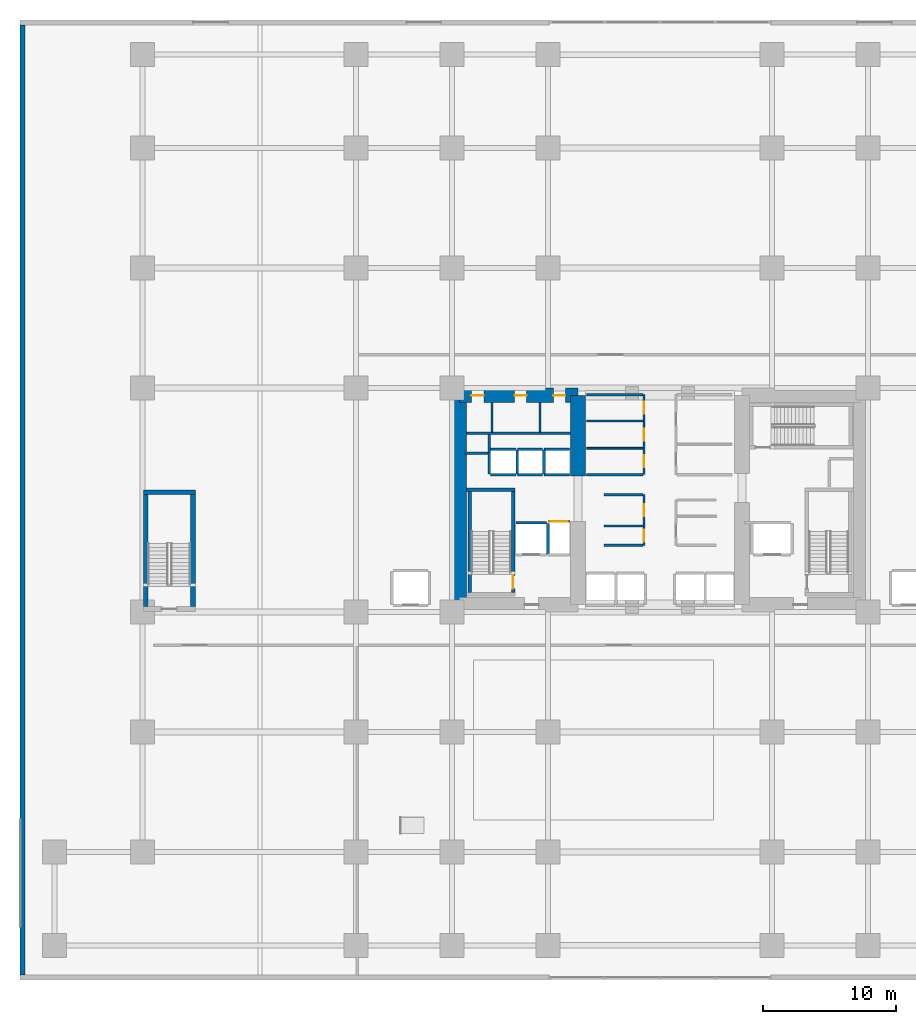
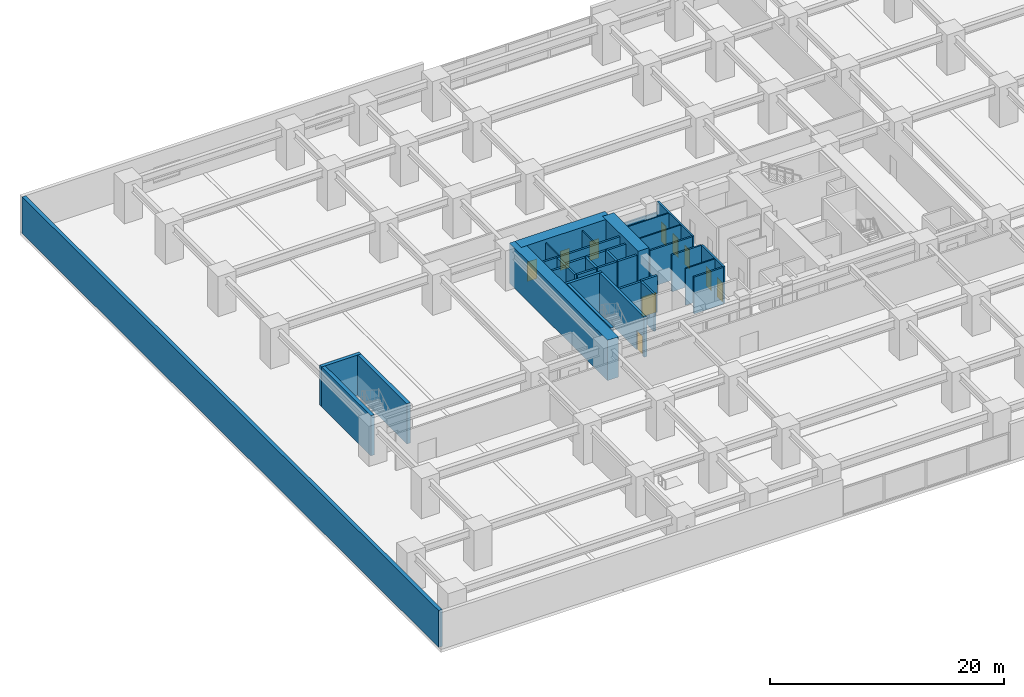
# One storey, part 11 of 22: 36 walls, 10 doors, 10 openings.
"""IFC4 building model written with IfcOpenShell, lengths in metres."""

import ifcopenshell
import ifcopenshell.guid

model = None  # the IFC model being written
_history = None  # IfcOwnerHistory: only IFC2X3 demands one
_inside = {}  # id of a spatial element -> (the spatial element, [elements in it])
_under = {}  # id of a project, library or spatial element -> (it, [spatial elements below it])
_declared = {}  # id of a project -> (the project, [libraries it declares])
_typed = {}  # id of a type object -> (the type object, [elements of that type])
_made_of = {}  # id of a material, layer set ... -> (it, [elements and type objects made of it])


def new_model(schema):
    """Start an empty IFC model of exactly this schema.

    Asked for "IFC4X3", IfcOpenShell would pick the latest addendum, in which some entities
    have other attributes; the version numbers below select the first issue.
    IFC2X3 requires an IfcOwnerHistory on every rooted entity: one is made here for all.
    """
    global model, _history
    if schema == "IFC4X3":
        model = ifcopenshell.file(schema_version=(4, 3, 0, 0))
    else:
        model = ifcopenshell.file(schema=schema)
    _inside.clear()
    _under.clear()
    _declared.clear()
    _typed.clear()
    _made_of.clear()
    _history = None
    if model.schema == "IFC2X3":
        org = make("IfcOrganization", Name="unknown")
        user = make(
            "IfcPersonAndOrganization",
            ThePerson=make("IfcPerson", FamilyName="unknown"),
            TheOrganization=org,
        )
        app = make(
            "IfcApplication",
            ApplicationDeveloper=org,
            Version="unknown",
            ApplicationFullName="unknown",
            ApplicationIdentifier="unknown",
        )
        _history = make(
            "IfcOwnerHistory",
            OwningUser=user,
            OwningApplication=app,
            ChangeAction="ADDED",
            CreationDate=0,
        )
    return model


def make(cls, **values):
    """One entity of the class cls with the attributes given. An attribute that is None is left unset."""
    return model.create_entity(
        cls, **{name: value for name, value in values.items() if value is not None}
    )


def rooted(cls, **values):
    """An entity with a GlobalId (a new one), such as an element, a storey or a relation."""
    return make(cls, GlobalId=ifcopenshell.guid.new(), OwnerHistory=_history, **values)


def si_unit(unit_type, name, prefix=None):
    """IfcSIUnit, for example si_unit("LENGTHUNIT", "METRE", prefix="MILLI")."""
    return make("IfcSIUnit", UnitType=unit_type, Prefix=prefix, Name=name)


def assignment(units):
    """IfcUnitAssignment: the units of a project."""
    return None if units is None else make("IfcUnitAssignment", Units=units)


def point(xyz):
    """IfcCartesianPoint."""
    return None if xyz is None else make("IfcCartesianPoint", Coordinates=xyz)


def direction(xyz):
    """IfcDirection."""
    return None if xyz is None else make("IfcDirection", DirectionRatios=xyz)


def frame(location, z_axis=None, x_axis=None):
    """IfcAxis2Placement3D, a coordinate frame: its origin and axes. An axis left out is left unset."""
    return make(
        "IfcAxis2Placement3D",
        Location=point(location),
        Axis=direction(z_axis),
        RefDirection=direction(x_axis),
    )


def frame_2d(location, x_axis=None):
    """IfcAxis2Placement2D, a coordinate frame in the plane: its origin and x axis."""
    return make(
        "IfcAxis2Placement2D", Location=point(location), RefDirection=direction(x_axis)
    )


def origin():
    """The frame at (0, 0, 0) with its axes left unset."""
    return frame((0.0, 0.0, 0.0))


def place(relative_to, where):
    """IfcLocalPlacement: puts the frame where relative to a parent placement (None: the world)."""
    return make(
        "IfcLocalPlacement", PlacementRelTo=relative_to, RelativePlacement=where
    )


def context(
    kind, dimensions, precision=None, world=None, true_north=None, identifier=None
):
    """IfcGeometricRepresentationContext, for example the 3D "Model" context."""
    return make(
        "IfcGeometricRepresentationContext",
        ContextIdentifier=identifier,
        ContextType=kind,
        CoordinateSpaceDimension=dimensions,
        Precision=precision,
        WorldCoordinateSystem=world,
        TrueNorth=true_north,
    )


def subcontext(parent, identifier, kind, view, scale=None):
    """IfcGeometricRepresentationSubContext, for example "Body" below "Model"."""
    return make(
        "IfcGeometricRepresentationSubContext",
        ContextIdentifier=identifier,
        ContextType=kind,
        ParentContext=parent,
        TargetScale=scale,
        TargetView=view,
    )


def project(units=None, contexts=None):
    """IfcProject with its units and contexts."""
    return rooted(
        "IfcProject",
        Name="project",
        RepresentationContexts=contexts,
        UnitsInContext=assignment(units),
    )


def spatial(cls, under=None, at=None, **own):
    """A site, building, storey or space (cls), placed at a placement, below another one or the project."""
    s = rooted(cls, ObjectPlacement=at, **own)
    if under is not None:
        _under.setdefault(under.id(), (under, []))[1].append(s)
    return s


def profile(cls, at=None, kind="AREA", **sizes):
    """A parametric profile (cls). Its sizes go by their IFC names, for example OverallWidth=200.0."""
    return make(cls, ProfileType=kind, Position=at, **sizes)


def rectangle(**sizes):
    """IfcRectangleProfileDef."""
    return profile("IfcRectangleProfileDef", **sizes)


def extrude(swept, where, along, depth):
    """IfcExtrudedAreaSolid: the profile swept, set in the frame where, extruded along a direction by depth."""
    return make(
        "IfcExtrudedAreaSolid",
        SweptArea=swept,
        Position=where,
        ExtrudedDirection=direction(along),
        Depth=depth,
    )


def shape(context_of_items, identifier, shape_type, items):
    """IfcShapeRepresentation: the items that make up one representation, for example the "Body"."""
    return make(
        "IfcShapeRepresentation",
        ContextOfItems=context_of_items,
        RepresentationIdentifier=identifier,
        RepresentationType=shape_type,
        Items=items,
    )


def material(Name=None, Category=None):
    """IfcMaterial."""
    return make("IfcMaterial", Name=Name, Category=Category)


def layer(
    of_material, thickness, ventilated=None, Name=None, Category=None, Priority=None
):
    """IfcMaterialLayer: one layer of a wall or slab, of a material (None: an air gap)."""
    return make(
        "IfcMaterialLayer",
        Material=of_material,
        LayerThickness=thickness,
        IsVentilated=ventilated,
        Name=Name,
        Category=Category,
        Priority=Priority,
    )


def layer_set(layers, Name=None):
    """IfcMaterialLayerSet."""
    return make("IfcMaterialLayerSet", MaterialLayers=layers, LayerSetName=Name)


def made_of(thing, what):
    """Note that an element or type object is made of a material, layer set ...; save() writes the relation."""
    if what is not None:
        _made_of.setdefault(what.id(), (what, []))[1].append(thing)
    return thing


def type_object(cls, material=None, **own):
    """A type object (cls), such as IfcWallType, which elements share."""
    return made_of(rooted(cls, **own), material)


def element(
    cls,
    number,
    at=None,
    inside=None,
    cuts=None,
    type_object=None,
    material=None,
    context=None,
    identifier="Body",
    shape_type=None,
    held_by="IfcProductDefinitionShape",
    body=None,
    shapes=None,
    **own,
):
    """One element of the class cls, such as IfcWall. Its Tag is "e" and its number.

    at: its placement. inside: the storey or other place that contains it. cuts: it is an
    opening in that element (IfcRelVoidsElement). A single representation is given by context,
    identifier, shape_type and body (its items); several are given by shapes. held_by: the class
    of the entity that holds the representations. save() writes the other relations.
    """
    e = rooted(cls, Tag="e%d" % number, ObjectPlacement=at, **own)
    if body is not None:
        shapes = [shape(context, identifier, shape_type, body)]
    if shapes is not None:
        e.Representation = make(held_by, Representations=shapes)
    if inside is not None:
        _inside.setdefault(inside.id(), (inside, []))[1].append(e)
    if cuts is not None:
        rooted(
            "IfcRelVoidsElement", RelatingBuildingElement=cuts, RelatedOpeningElement=e
        )
    if type_object is not None:
        _typed.setdefault(type_object.id(), (type_object, []))[1].append(e)
    return made_of(e, material)


def fill(opening, filler):
    """IfcRelFillsElement: the door or window that sits in an opening."""
    return rooted(
        "IfcRelFillsElement",
        RelatingOpeningElement=opening,
        RelatedBuildingElement=filler,
    )


def aggregate(whole, parts):
    """IfcRelAggregates: a whole, such as a stair, and the parts it consists of."""
    return rooted("IfcRelAggregates", RelatingObject=whole, RelatedObjects=parts)


def save(model, path):
    """Write the relations noted so far, then the file.

    IfcRelAggregates (storeys below a building ...), IfcRelContainedInSpatialStructure (elements
    in a storey), IfcRelDefinesByType, IfcRelAssociatesMaterial and IfcRelDeclares: one each for
    every whole, place, type object, material and project.
    """
    for whole, parts in _under.values():
        aggregate(whole, parts)
    for where, things in _inside.values():
        rooted(
            "IfcRelContainedInSpatialStructure",
            RelatedElements=things,
            RelatingStructure=where,
        )
    for kind, things in _typed.values():
        rooted("IfcRelDefinesByType", RelatedObjects=things, RelatingType=kind)
    for what, things in _made_of.values():
        rooted("IfcRelAssociatesMaterial", RelatedObjects=things, RelatingMaterial=what)
    for by, libraries in _declared.values():
        rooted("IfcRelDeclares", RelatingContext=by, RelatedDefinitions=libraries)
    model.write(path)


model = new_model("IFC4")

# Units and contexts
model_context = context("Model", 3, precision=1e-05, world=origin(), true_north=direction((0.0, 1.0)))
body_context = subcontext(model_context, "Body", "Model", "MODEL_VIEW")
ifc_project = project(units=[si_unit("LENGTHUNIT", "METRE"), si_unit("AREAUNIT", "SQUARE_METRE"), si_unit("VOLUMEUNIT", "CUBIC_METRE"), si_unit("PLANEANGLEUNIT", "RADIAN"), si_unit("MASSUNIT", "GRAM", prefix="KILO")], contexts=[model_context])

# Site, building, storey
site_placement = place(None, origin())
site = spatial("IfcSite", under=ifc_project, at=site_placement, CompositionType="ELEMENT")
building_placement = place(site_placement, origin())
building = spatial("IfcBuilding", under=site, at=building_placement, Name="Kiyonajd Concourse Tower", CompositionType="ELEMENT")
storey_placement = place(building_placement, frame((0.0, 0.0, 12.89990234375)))
storey = spatial("IfcBuildingStorey", under=building, at=storey_placement, Name="L04", CompositionType="ELEMENT", Elevation=12.89990234375)

# Walls
ifc_material_1 = material(Name="Concrete C80/95", Category="concrete")
ifc_layer_1 = layer(ifc_material_1, 1.10009765625)
ifc_layer_set_1 = layer_set([ifc_layer_1], Name="Concrete C80/95")
wall_type_1 = type_object("IfcWallType", Name="WL-CORE-1100", PredefinedType="SHEAR", material=ifc_layer_set_1)
wall_1_placement = place(storey_placement, frame((32.949951171875, 27.60009765625, 0.0), z_axis=(0.0, 0.0, 1.0), x_axis=(0.0, 1.0, 0.0)))
element("IfcWall", 1, at=wall_1_placement, inside=storey, type_object=wall_type_1, Name="L04 West Core Outer Shear Wall", PredefinedType="SHEAR", context=body_context, shape_type="SweptSolid", body=[
    extrude(rectangle(XDim=16.7998046875, YDim=1.10009765625, at=frame_2d((8.39990234375, 0.0))), origin(), (0.0, 0.0, 1.0), 4.2001953125),
])
wall_2_placement = place(storey_placement, frame((41.85009765625, 37.800048828125, 0.0), z_axis=(0.0, 0.0, 1.0), x_axis=(0.0, 1.0, 0.0)))
element("IfcWall", 2, at=wall_2_placement, inside=storey, type_object=wall_type_1, Name="L04 West Core Inner North Shear Wall", PredefinedType="SHEAR", context=body_context, shape_type="SweptSolid", body=[
    extrude(rectangle(XDim=6.050048828125, YDim=1.10009765625, at=frame_2d((3.02490234375, 0.0))), origin(), (0.0, 0.0, 1.0), 4.2001953125),
])

# Wall, openings, doors
wall_3_placement = place(storey_placement, frame((32.949951171875, 43.85009765625, 0.0), z_axis=(0.0, 0.0, 1.0), x_axis=(1.0, 0.0, 0.0)))
wall_3 = element("IfcWall", 3, at=wall_3_placement, inside=storey, type_object=wall_type_1, Name="L04 West Core North Shear Wall", PredefinedType="SHEAR", context=body_context, shape_type="SweptSolid", body=[
    extrude(rectangle(XDim=8.900146484375, YDim=1.10009765625, at=frame_2d((4.4501953125, 0.0))), origin(), (0.0, 0.0, 1.0), 4.2001953125),
])
opening_1_placement = place(wall_3_placement, frame((0.89990234375, 0.0, 0.0)))
opening_1 = element("IfcOpeningElement", 4, at=opening_1_placement, cuts=wall_3, Name="Opening DI1", PredefinedType="OPENING", context=body_context, shape_type="SweptSolid", body=[
    extrude(rectangle(XDim=0.949951171875, YDim=2.0400390625, at=frame_2d((0.47509765625, 1.02001953125))), frame((0.0, 0.56005859375, 0.0), z_axis=(0.0, -1.0, 0.0), x_axis=(1.0, 0.0, 0.0)), (0.0, 0.0, 1.0), 1.1201171875),
])
opening_2_placement = place(wall_3_placement, frame((4.14990234375, 0.0, 0.0)))
opening_2 = element("IfcOpeningElement", 5, at=opening_2_placement, cuts=wall_3, Name="Opening DI2", PredefinedType="OPENING", context=body_context, shape_type="SweptSolid", body=[
    extrude(rectangle(XDim=0.89990234375, YDim=2.02001953125, at=frame_2d((0.449951171875, 1.010009765625))), frame((0.0, 0.56005859375, 0.0), z_axis=(0.0, -1.0, 0.0), x_axis=(1.0, 0.0, 0.0)), (0.0, 0.0, 1.0), 1.1201171875),
])
opening_3_placement = place(wall_3_placement, frame((7.050048828125, 0.0, 0.0)))
opening_3 = element("IfcOpeningElement", 6, at=opening_3_placement, cuts=wall_3, Name="Opening DI2", PredefinedType="OPENING", context=body_context, shape_type="SweptSolid", body=[
    extrude(rectangle(XDim=0.89990234375, YDim=2.02001953125, at=frame_2d((0.449951171875, 1.010009765625))), frame((0.0, 0.56005859375, 0.0), z_axis=(0.0, -1.0, 0.0), x_axis=(1.0, 0.0, 0.0)), (0.0, 0.0, 1.0), 1.1201171875),
])
ifc_material_2 = material(Name="Natural Oak Acoustic Timber Veneer", Category="wood")
door_type_1 = type_object("IfcDoorType", Name="DR-INT-900", OperationType="NOTDEFINED", PredefinedType="DOOR", material=ifc_material_2)
door_1_placement = place(opening_2_placement, origin())
door_1 = element("IfcDoor", 7, at=door_1_placement, inside=storey, type_object=door_type_1, Name="L04 Male Restroom Door", OperationType="SINGLE_SWING_RIGHT", OverallHeight=2.02001953125, OverallWidth=0.89990234375, PredefinedType="DOOR", context=body_context, shape_type="SweptSolid", body=[
    extrude(rectangle(XDim=0.89990234375, YDim=2.02001953125, at=frame_2d((0.449951171875, 1.010009765625))), frame((0.0, 0.02490234375, 0.0), z_axis=(0.0, -1.0, 0.0), x_axis=(1.0, 0.0, 0.0)), (0.0, 0.0, 1.0), 0.050048828125),
])
fill(opening_2, door_1)
door_2_placement = place(opening_3_placement, origin())
door_2 = element("IfcDoor", 8, at=door_2_placement, inside=storey, type_object=door_type_1, Name="L04 Female Restroom Door", OperationType="SINGLE_SWING_LEFT", OverallHeight=2.02001953125, OverallWidth=0.89990234375, PredefinedType="DOOR", context=body_context, shape_type="SweptSolid", body=[
    extrude(rectangle(XDim=0.89990234375, YDim=2.02001953125, at=frame_2d((0.449951171875, 1.010009765625))), frame((0.0, 0.02490234375, 0.0), z_axis=(0.0, -1.0, 0.0), x_axis=(1.0, 0.0, 0.0)), (0.0, 0.0, 1.0), 0.050048828125),
])
fill(opening_3, door_2)
door_type_2 = type_object("IfcDoorType", Name="DR-INT-950", OperationType="NOTDEFINED", PredefinedType="DOOR", material=ifc_material_2)
door_3_placement = place(opening_1_placement, origin())
door_3 = element("IfcDoor", 9, at=door_3_placement, inside=storey, type_object=door_type_2, Name="L04 Single User Accessible WC Door", OperationType="SINGLE_SWING_LEFT", OverallHeight=2.0400390625, OverallWidth=0.949951171875, PredefinedType="DOOR", context=body_context, shape_type="SweptSolid", body=[
    extrude(rectangle(XDim=0.949951171875, YDim=2.0400390625, at=frame_2d((0.47509765625, 1.02001953125))), frame((0.0, 0.02490234375, 0.0), z_axis=(0.0, -1.0, 0.0), x_axis=(1.0, 0.0, 0.0)), (0.0, 0.0, 1.0), 0.050048828125),
])
fill(opening_1, door_3)

# Walls
ifc_material_3 = material(Name="Precast concrete C50/60", Category="concrete")
ifc_layer_2 = layer(ifc_material_3, 0.360107421875)
ifc_layer_set_2 = layer_set([ifc_layer_2], Name="Precast concrete C50/60")
wall_type_2 = type_object("IfcWallType", Name="WL-EXT-360", PredefinedType="SOLIDWALL", material=ifc_layer_set_2)
wall_4_placement = place(storey_placement, frame((0.179931640625, 0.360107421875, 0.0), z_axis=(0.0, 0.0, 1.0), x_axis=(0.0, 1.0, 0.0)))
element("IfcWall", 10, at=wall_4_placement, inside=storey, type_object=wall_type_2, Name="L04 West Podium Limestone Facade Wall", PredefinedType="SOLIDWALL", context=body_context, shape_type="SweptSolid", body=[
    extrude(rectangle(XDim=71.27978515625, YDim=0.360107421875, at=frame_2d((35.639892578125, 0.0))), origin(), (0.0, 0.0, 1.0), 3.840087890625),
])
ifc_material_4 = material(Name="Gypsum Board on Cold-Formed Steel Stud", Category="steel")
ifc_layer_3 = layer(ifc_material_4, 0.125)
ifc_layer_set_3 = layer_set([ifc_layer_3], Name="Gypsum Board on Cold-Formed Steel Stud")
wall_type_3 = type_object("IfcWallType", Name="WL-PART-125", PredefinedType="PARTITIONING", material=ifc_layer_set_3)
for number, where, z_axis, x_axis, name in (
    (11, (35.39990234375, 41.094970703125, 0.0), (0.0, 0.0, 1.0), (0.0, 1.0, 0.0), "L04 Interior Partition Wall"),
    (12, (39.0, 41.094970703125, 0.0), (0.0, 0.0, 1.0), (0.0, 1.0, 0.0), "L04 Interior Partition Wall"),
):
    element("IfcWall", number, at=place(storey_placement, frame(where, z_axis=z_axis, x_axis=x_axis)), inside=storey, type_object=wall_type_3, Name=name, PredefinedType="PARTITIONING", context=body_context, shape_type="SweptSolid", body=[
        extrude(rectangle(XDim=2.205078125, YDim=0.125, at=frame_2d((1.1025390625, 0.0))), origin(), (0.0, 0.0, 1.0), 3.840087890625),
    ])
wall_5_placement = place(storey_placement, frame((43.800048828125, 34.0439453125, 0.0), z_axis=(0.0, 0.0, 1.0), x_axis=(1.0, 0.0, 0.0)))
element("IfcWall", 13, at=wall_5_placement, inside=storey, type_object=wall_type_3, Name="L04 Interior Partition Wall", PredefinedType="PARTITIONING", context=body_context, shape_type="SweptSolid", body=[
    extrude(rectangle(XDim=2.912841796875, YDim=0.125, at=frame_2d((1.45654296875, 0.0))), origin(), (0.0, 0.0, 1.0), 3.840087890625),
])
for number, where, z_axis, x_axis, name in (
    (14, (42.5, 39.8798828125, 0.0), (0.0, 0.0, 1.0), (1.0, 0.0, 0.0), "L04 Interior Partition Wall"),
    (15, (42.5, 41.919921875, 0.0), (0.0, 0.0, 1.0), (1.0, 0.0, 0.0), "L04 Interior Partition Wall"),
):
    element("IfcWall", number, at=place(storey_placement, frame(where, z_axis=z_axis, x_axis=x_axis)), inside=storey, type_object=wall_type_3, Name=name, PredefinedType="PARTITIONING", context=body_context, shape_type="SweptSolid", body=[
        extrude(rectangle(XDim=4.212890625, YDim=0.125, at=frame_2d((2.1064453125, 0.0))), origin(), (0.0, 0.0, 1.0), 3.840087890625),
    ])
ifc_layer_4 = layer(ifc_material_4, 0.18994140625)
ifc_layer_set_4 = layer_set([ifc_layer_4], Name="Gypsum Board on Cold-Formed Steel Stud")
wall_type_4 = type_object("IfcWallType", Name="WL-PLMB-190", PredefinedType="PLUMBINGWALL", material=ifc_layer_set_4)
wall_6_placement = place(storey_placement, frame((33.5, 41.0, 0.0), z_axis=(0.0, 0.0, 1.0), x_axis=(1.0, 0.0, 0.0)))
element("IfcWall", 16, at=wall_6_placement, inside=storey, type_object=wall_type_4, Name="L04 Interior Partition Wall", PredefinedType="PLUMBINGWALL", context=body_context, shape_type="SweptSolid", body=[
    extrude(rectangle(XDim=7.800048828125, YDim=0.18994140625, at=frame_2d((3.89990234375, 0.0))), origin(), (0.0, 0.0, 1.0), 3.840087890625),
])
ifc_layer_5 = layer(ifc_material_4, 0.2099609375)
ifc_layer_set_5 = layer_set([ifc_layer_5], Name="Gypsum Board on Cold-Formed Steel Stud")
wall_type_5 = type_object("IfcWallType", Name="WL-SHAFT-210", PredefinedType="PARTITIONING", material=ifc_layer_set_5)
wall_7_placement = place(storey_placement, frame((33.360107421875, 39.5, 0.0), z_axis=(0.0, 0.0, 1.0), x_axis=(1.0, 0.0, 0.0)))
element("IfcWall", 17, at=wall_7_placement, inside=storey, type_object=wall_type_5, Name="L04 Shaft Enclosure Wall", PredefinedType="PARTITIONING", context=body_context, shape_type="SweptSolid", body=[
    extrude(rectangle(XDim=1.85986328125, YDim=0.2099609375, at=frame_2d((0.929931640625, 0.0))), origin(), (0.0, 0.0, 1.0), 3.840087890625),
])
wall_8_placement = place(storey_placement, frame((35.199951171875, 39.580078125, 0.0), z_axis=(0.0, 0.0, 1.0), x_axis=(0.0, 1.0, 0.0)))
element("IfcWall", 18, at=wall_8_placement, inside=storey, type_object=wall_type_5, Name="L04 Shaft Enclosure Wall", PredefinedType="PARTITIONING", context=body_context, shape_type="SweptSolid", body=[
    extrude(rectangle(XDim=1.31982421875, YDim=0.2099609375, at=frame_2d((0.659912109375, 0.0))), origin(), (0.0, 0.0, 1.0), 3.840087890625),
])
wall_9_placement = place(storey_placement, frame((37.199951171875, 34.300048828125, 0.0), z_axis=(0.0, 0.0, 1.0), x_axis=(1.0, 0.0, 0.0)))
element("IfcWall", 19, at=wall_9_placement, inside=storey, type_object=wall_type_5, Name="L04 Shaft Enclosure Wall", PredefinedType="PARTITIONING", context=body_context, shape_type="SweptSolid", body=[
    extrude(rectangle(XDim=2.300048828125, YDim=0.2099609375, at=frame_2d((1.14990234375, 0.0))), origin(), (0.0, 0.0, 1.0), 3.840087890625),
])
wall_10_placement = place(storey_placement, frame((39.60009765625, 31.9599609375, 0.0), z_axis=(0.0, 0.0, 1.0), x_axis=(0.0, 1.0, 0.0)))
element("IfcWall", 20, at=wall_10_placement, inside=storey, type_object=wall_type_5, Name="L04 Shaft Enclosure Wall", PredefinedType="PARTITIONING", context=body_context, shape_type="SweptSolid", body=[
    extrude(rectangle(XDim=2.280029296875, YDim=0.2099609375, at=frame_2d((1.14013671875, 0.0))), origin(), (0.0, 0.0, 1.0), 3.840087890625),
])

# Wall, opening, door
wall_11_placement = place(storey_placement, frame((39.60009765625, 34.39990234375, 0.0), z_axis=(0.0, 0.0, 1.0), x_axis=(1.0, 0.0, 0.0)))
wall_11 = element("IfcWall", 21, at=wall_11_placement, inside=storey, type_object=wall_type_5, Name="L04 Shaft Enclosure Wall", PredefinedType="PARTITIONING", context=body_context, shape_type="SweptSolid", body=[
    extrude(rectangle(XDim=1.599853515625, YDim=0.2099609375, at=frame_2d((0.7998046875, 0.0))), origin(), (0.0, 0.0, 1.0), 3.840087890625),
])
opening_4_placement = place(wall_11_placement, frame((0.10009765625, 0.0, 0.0)))
opening_4 = element("IfcOpeningElement", 22, at=opening_4_placement, cuts=wall_11, Name="Opening LD3", PredefinedType="OPENING", context=body_context, shape_type="SweptSolid", body=[
    extrude(rectangle(XDim=1.39990234375, YDim=2.06005859375, at=frame_2d((0.699951171875, 1.030029296875))), frame((0.0, 0.114990234375, 0.0), z_axis=(0.0, -1.0, 0.0), x_axis=(1.0, 0.0, 0.0)), (0.0, 0.0, 1.0), 0.22998046875),
])
ifc_material_5 = material(Name="Brushed Stainless Steel Cab Assembly", Category="steel")
door_type_3 = type_object("IfcDoorType", Name="DR-LD-1400", OperationType="DOUBLE_DOOR_SLIDING", PredefinedType="DOOR", material=ifc_material_5)
door_4_placement = place(opening_4_placement, origin())
door_4 = element("IfcDoor", 23, at=door_4_placement, inside=storey, type_object=door_type_3, Name="L04 Lift SVL1 Sliding Landing Door", OperationType="DOUBLE_DOOR_SLIDING", OverallHeight=2.06005859375, OverallWidth=1.39990234375, PredefinedType="DOOR", context=body_context, shape_type="SweptSolid", body=[
    extrude(rectangle(XDim=1.39990234375, YDim=2.06005859375, at=frame_2d((0.699951171875, 1.030029296875))), frame((0.0, 0.02490234375, 0.0), z_axis=(0.0, -1.0, 0.0), x_axis=(1.0, 0.0, 0.0)), (0.0, 0.0, 1.0), 0.050048828125),
])
fill(opening_4, door_4)

# Walls
for number, where, z_axis, x_axis, name in (
    (24, (35.300048828125, 37.89990234375, 0.0), (0.0, 0.0, 1.0), (1.0, 0.0, 0.0), "L04 Shaft Enclosure Wall"),
    (25, (35.300048828125, 39.800048828125, 0.0), (0.0, 0.0, 1.0), (1.0, 0.0, 0.0), "L04 Shaft Enclosure Wall"),
):
    element("IfcWall", number, at=place(storey_placement, frame(where, z_axis=z_axis, x_axis=x_axis)), inside=storey, type_object=wall_type_5, Name=name, PredefinedType="PARTITIONING", context=body_context, shape_type="SweptSolid", body=[
        extrude(rectangle(XDim=1.89990234375, YDim=0.2099609375, at=frame_2d((0.949951171875, 0.0))), origin(), (0.0, 0.0, 1.0), 3.840087890625),
    ])
wall_12_placement = place(storey_placement, frame((35.199951171875, 37.9599609375, 0.0), z_axis=(0.0, 0.0, 1.0), x_axis=(0.0, 1.0, 0.0)))
element("IfcWall", 26, at=wall_12_placement, inside=storey, type_object=wall_type_5, Name="L04 Shaft Enclosure Wall", PredefinedType="PARTITIONING", context=body_context, shape_type="SweptSolid", body=[
    extrude(rectangle(XDim=1.6201171875, YDim=0.2099609375, at=frame_2d((0.81005859375, 0.0))), origin(), (0.0, 0.0, 1.0), 3.840087890625),
])
wall_13_placement = place(storey_placement, frame((37.300048828125, 37.9599609375, 0.0), z_axis=(0.0, 0.0, 1.0), x_axis=(0.0, 1.0, 0.0)))
element("IfcWall", 27, at=wall_13_placement, inside=storey, type_object=wall_type_5, Name="L04 Shaft Enclosure Wall", PredefinedType="PARTITIONING", context=body_context, shape_type="SweptSolid", body=[
    extrude(rectangle(XDim=1.780029296875, YDim=0.2099609375, at=frame_2d((0.89013671875, 0.0))), origin(), (0.0, 0.0, 1.0), 3.840087890625),
])
for number, where, z_axis, x_axis, name in (
    (28, (37.300048828125, 37.89990234375, 0.0), (0.0, 0.0, 1.0), (1.0, 0.0, 0.0), "L04 Shaft Enclosure Wall"),
    (29, (37.300048828125, 39.800048828125, 0.0), (0.0, 0.0, 1.0), (1.0, 0.0, 0.0), "L04 Shaft Enclosure Wall"),
):
    element("IfcWall", number, at=place(storey_placement, frame(where, z_axis=z_axis, x_axis=x_axis)), inside=storey, type_object=wall_type_5, Name=name, PredefinedType="PARTITIONING", context=body_context, shape_type="SweptSolid", body=[
        extrude(rectangle(XDim=1.89990234375, YDim=0.2099609375, at=frame_2d((0.949951171875, 0.0))), origin(), (0.0, 0.0, 1.0), 3.840087890625),
    ])
wall_14_placement = place(storey_placement, frame((39.300048828125, 37.9599609375, 0.0), z_axis=(0.0, 0.0, 1.0), x_axis=(0.0, 1.0, 0.0)))
element("IfcWall", 30, at=wall_14_placement, inside=storey, type_object=wall_type_5, Name="L04 Shaft Enclosure Wall", PredefinedType="PARTITIONING", context=body_context, shape_type="SweptSolid", body=[
    extrude(rectangle(XDim=1.780029296875, YDim=0.2099609375, at=frame_2d((0.89013671875, 0.0))), origin(), (0.0, 0.0, 1.0), 3.840087890625),
])
for number, where, z_axis, x_axis, name in (
    (31, (39.300048828125, 37.89990234375, 0.0), (0.0, 0.0, 1.0), (1.0, 0.0, 0.0), "L04 Shaft Enclosure Wall"),
    (32, (39.300048828125, 39.800048828125, 0.0), (0.0, 0.0, 1.0), (1.0, 0.0, 0.0), "L04 Shaft Enclosure Wall"),
):
    element("IfcWall", number, at=place(storey_placement, frame(where, z_axis=z_axis, x_axis=x_axis)), inside=storey, type_object=wall_type_5, Name=name, PredefinedType="PARTITIONING", context=body_context, shape_type="SweptSolid", body=[
        extrude(rectangle(XDim=1.89990234375, YDim=0.2099609375, at=frame_2d((0.949951171875, 0.0))), origin(), (0.0, 0.0, 1.0), 3.840087890625),
    ])

# Wall, openings, doors
ifc_layer_6 = layer(ifc_material_4, 0.169921875)
ifc_layer_set_6 = layer_set([ifc_layer_6], Name="Gypsum Board on Cold-Formed Steel Stud")
wall_type_6 = type_object("IfcWallType", Name="WL-SMK-170", PredefinedType="PARTITIONING", material=ifc_layer_set_6)
wall_15_placement = place(storey_placement, frame((46.800048828125, 32.60009765625, 0.0), z_axis=(0.0, 0.0, 1.0), x_axis=(0.0, 1.0, 0.0)))
wall_15 = element("IfcWall", 33, at=wall_15_placement, inside=storey, type_object=wall_type_6, Name="L04 Interior Partition Wall", PredefinedType="PARTITIONING", context=body_context, shape_type="SweptSolid", body=[
    extrude(rectangle(XDim=3.7998046875, YDim=0.169921875, at=frame_2d((1.89990234375, 0.0))), origin(), (0.0, 0.0, 1.0), 3.840087890625),
])
opening_5_placement = place(wall_15_placement, frame((0.27197265625, 0.0, 0.0)))
opening_5 = element("IfcOpeningElement", 34, at=opening_5_placement, cuts=wall_15, Name="Opening DI2", PredefinedType="OPENING", context=body_context, shape_type="SweptSolid", body=[
    extrude(rectangle(XDim=0.89990234375, YDim=2.02001953125, at=frame_2d((0.449951171875, 1.010009765625))), frame((0.0, 0.094970703125, 0.0), z_axis=(0.0, -1.0, 0.0), x_axis=(1.0, 0.0, 0.0)), (0.0, 0.0, 1.0), 0.18994140625),
])
opening_6_placement = place(wall_15_placement, frame((2.172119140625, 0.0, 0.0)))
opening_6 = element("IfcOpeningElement", 35, at=opening_6_placement, cuts=wall_15, Name="Opening DI2", PredefinedType="OPENING", context=body_context, shape_type="SweptSolid", body=[
    extrude(rectangle(XDim=0.89990234375, YDim=2.02001953125, at=frame_2d((0.449951171875, 1.010009765625))), frame((0.0, 0.094970703125, 0.0), z_axis=(0.0, -1.0, 0.0), x_axis=(1.0, 0.0, 0.0)), (0.0, 0.0, 1.0), 0.18994140625),
])
door_5_placement = place(opening_5_placement, origin())
door_5 = element("IfcDoor", 36, at=door_5_placement, inside=storey, type_object=door_type_1, Name="L04 Interior Door", OperationType="SINGLE_SWING_LEFT", OverallHeight=2.02001953125, OverallWidth=0.89990234375, PredefinedType="DOOR", context=body_context, shape_type="SweptSolid", body=[
    extrude(rectangle(XDim=0.89990234375, YDim=2.02001953125, at=frame_2d((0.449951171875, 1.010009765625))), frame((0.0, 0.02490234375, 0.0), z_axis=(0.0, -1.0, 0.0), x_axis=(1.0, 0.0, 0.0)), (0.0, 0.0, 1.0), 0.050048828125),
])
fill(opening_5, door_5)
door_6_placement = place(opening_6_placement, origin())
door_6 = element("IfcDoor", 37, at=door_6_placement, inside=storey, type_object=door_type_1, Name="L04 Interior Door", OperationType="SINGLE_SWING_RIGHT", OverallHeight=2.02001953125, OverallWidth=0.89990234375, PredefinedType="DOOR", context=body_context, shape_type="SweptSolid", body=[
    extrude(rectangle(XDim=0.89990234375, YDim=2.02001953125, at=frame_2d((0.449951171875, 1.010009765625))), frame((0.0, 0.02490234375, 0.0), z_axis=(0.0, -1.0, 0.0), x_axis=(1.0, 0.0, 0.0)), (0.0, 0.0, 1.0), 0.050048828125),
])
fill(opening_6, door_6)

# Walls
for number, where, z_axis, x_axis, name in (
    (38, (43.800048828125, 32.60009765625, 0.0), (0.0, 0.0, 1.0), (1.0, 0.0, 0.0), "L04 Interior Partition Wall"),
    (39, (43.800048828125, 36.39990234375, 0.0), (0.0, 0.0, 1.0), (1.0, 0.0, 0.0), "L04 Interior Partition Wall"),
):
    element("IfcWall", number, at=place(storey_placement, frame(where, z_axis=z_axis, x_axis=x_axis)), inside=storey, type_object=wall_type_6, Name=name, PredefinedType="PARTITIONING", context=body_context, shape_type="SweptSolid", body=[
        extrude(rectangle(XDim=2.912841796875, YDim=0.169921875, at=frame_2d((1.45654296875, 0.0))), origin(), (0.0, 0.0, 1.0), 3.840087890625),
    ])

# Wall, openings, doors
wall_16_placement = place(storey_placement, frame((46.800048828125, 37.89990234375, 0.0), z_axis=(0.0, 0.0, 1.0), x_axis=(0.0, 1.0, 0.0)))
wall_16 = element("IfcWall", 40, at=wall_16_placement, inside=storey, type_object=wall_type_6, Name="L04 Interior Partition Wall", PredefinedType="PARTITIONING", context=body_context, shape_type="SweptSolid", body=[
    extrude(rectangle(XDim=6.0, YDim=0.169921875, at=frame_2d((3.0, 0.0))), origin(), (0.0, 0.0, 1.0), 3.840087890625),
])
opening_7_placement = place(wall_16_placement, frame((0.5400390625, 0.0, 0.0)))
opening_7 = element("IfcOpeningElement", 41, at=opening_7_placement, cuts=wall_16, Name="Opening DI2", PredefinedType="OPENING", context=body_context, shape_type="SweptSolid", body=[
    extrude(rectangle(XDim=0.89990234375, YDim=2.02001953125, at=frame_2d((0.449951171875, 1.010009765625))), frame((0.0, 0.094970703125, 0.0), z_axis=(0.0, -1.0, 0.0), x_axis=(1.0, 0.0, 0.0)), (0.0, 0.0, 1.0), 0.18994140625),
])
opening_8_placement = place(wall_16_placement, frame((2.550048828125, 0.0, 0.0)))
opening_8 = element("IfcOpeningElement", 42, at=opening_8_placement, cuts=wall_16, Name="Opening DI2", PredefinedType="OPENING", context=body_context, shape_type="SweptSolid", body=[
    extrude(rectangle(XDim=0.89990234375, YDim=2.02001953125, at=frame_2d((0.449951171875, 1.010009765625))), frame((0.0, 0.094970703125, 0.0), z_axis=(0.0, -1.0, 0.0), x_axis=(1.0, 0.0, 0.0)), (0.0, 0.0, 1.0), 0.18994140625),
])
opening_9_placement = place(wall_16_placement, frame((4.56005859375, 0.0, 0.0)))
opening_9 = element("IfcOpeningElement", 43, at=opening_9_placement, cuts=wall_16, Name="Opening DI2", PredefinedType="OPENING", context=body_context, shape_type="SweptSolid", body=[
    extrude(rectangle(XDim=0.89990234375, YDim=2.02001953125, at=frame_2d((0.449951171875, 1.010009765625))), frame((0.0, 0.094970703125, 0.0), z_axis=(0.0, -1.0, 0.0), x_axis=(1.0, 0.0, 0.0)), (0.0, 0.0, 1.0), 0.18994140625),
])
door_7_placement = place(opening_7_placement, origin())
door_7 = element("IfcDoor", 44, at=door_7_placement, inside=storey, type_object=door_type_1, Name="L04 Interior Door", OperationType="SINGLE_SWING_RIGHT", OverallHeight=2.02001953125, OverallWidth=0.89990234375, PredefinedType="DOOR", context=body_context, shape_type="SweptSolid", body=[
    extrude(rectangle(XDim=0.89990234375, YDim=2.02001953125, at=frame_2d((0.449951171875, 1.010009765625))), frame((0.0, 0.02490234375, 0.0), z_axis=(0.0, -1.0, 0.0), x_axis=(1.0, 0.0, 0.0)), (0.0, 0.0, 1.0), 0.050048828125),
])
fill(opening_7, door_7)
door_8_placement = place(opening_8_placement, origin())
door_8 = element("IfcDoor", 45, at=door_8_placement, inside=storey, type_object=door_type_1, Name="L04 Interior Door", OperationType="SINGLE_SWING_LEFT", OverallHeight=2.02001953125, OverallWidth=0.89990234375, PredefinedType="DOOR", context=body_context, shape_type="SweptSolid", body=[
    extrude(rectangle(XDim=0.89990234375, YDim=2.02001953125, at=frame_2d((0.449951171875, 1.010009765625))), frame((0.0, 0.02490234375, 0.0), z_axis=(0.0, -1.0, 0.0), x_axis=(1.0, 0.0, 0.0)), (0.0, 0.0, 1.0), 0.050048828125),
])
fill(opening_8, door_8)
door_9_placement = place(opening_9_placement, origin())
door_9 = element("IfcDoor", 46, at=door_9_placement, inside=storey, type_object=door_type_1, Name="L04 Interior Door", OperationType="SINGLE_SWING_RIGHT", OverallHeight=2.02001953125, OverallWidth=0.89990234375, PredefinedType="DOOR", context=body_context, shape_type="SweptSolid", body=[
    extrude(rectangle(XDim=0.89990234375, YDim=2.02001953125, at=frame_2d((0.449951171875, 1.010009765625))), frame((0.0, 0.02490234375, 0.0), z_axis=(0.0, -1.0, 0.0), x_axis=(1.0, 0.0, 0.0)), (0.0, 0.0, 1.0), 0.050048828125),
])
fill(opening_9, door_9)

# Walls
wall_17_placement = place(storey_placement, frame((42.5, 37.89990234375, 0.0), z_axis=(0.0, 0.0, 1.0), x_axis=(1.0, 0.0, 0.0)))
element("IfcWall", 47, at=wall_17_placement, inside=storey, type_object=wall_type_6, Name="L04 Interior Partition Wall", PredefinedType="PARTITIONING", context=body_context, shape_type="SweptSolid", body=[
    extrude(rectangle(XDim=4.212890625, YDim=0.169921875, at=frame_2d((2.1064453125, 0.0))), origin(), (0.0, 0.0, 1.0), 3.840087890625),
])
wall_18_placement = place(storey_placement, frame((42.5, 43.89990234375, 0.0), z_axis=(0.0, 0.0, 1.0), x_axis=(1.0, 0.0, 0.0)))
element("IfcWall", 48, at=wall_18_placement, inside=storey, type_object=wall_type_6, Name="L04 Interior Partition Wall", PredefinedType="PARTITIONING", context=body_context, shape_type="SweptSolid", body=[
    extrude(rectangle(XDim=4.212890625, YDim=0.169921875, at=frame_2d((2.1064453125, 0.0))), origin(), (0.0, 0.0, 1.0), 2.72509765625),
])
ifc_material_6 = material(Name="Concrete C50/60", Category="concrete")
ifc_layer_7 = layer(ifc_material_6, 0.260009765625)
ifc_layer_set_7 = layer_set([ifc_layer_7], Name="Concrete C50/60")
wall_type_7 = type_object("IfcWallType", Name="WL-STAIR-260", PredefinedType="SHEAR", material=ifc_layer_set_7)
wall_19_placement = place(storey_placement, frame((33.5, 36.780029296875, 0.0), z_axis=(0.0, 0.0, 1.0), x_axis=(1.0, 0.0, 0.0)))
element("IfcWall", 49, at=wall_19_placement, inside=storey, type_object=wall_type_7, Name="L04 Stair ST1 Structural North Wall", PredefinedType="SHEAR", context=body_context, shape_type="SweptSolid", body=[
    extrude(rectangle(XDim=3.610107421875, YDim=0.260009765625, at=frame_2d((1.80517578125, 0.0))), origin(), (0.0, 0.0, 1.0), 4.2001953125),
])
wall_20_placement = place(storey_placement, frame((33.719970703125, 29.050048828125, 0.0), z_axis=(0.0, 0.0, 1.0), x_axis=(0.0, 1.0, 0.0)))
element("IfcWall", 50, at=wall_20_placement, inside=storey, type_object=wall_type_7, Name="L04 Stair ST1 Structural West Wall", PredefinedType="SHEAR", context=body_context, shape_type="SweptSolid", body=[
    extrude(rectangle(XDim=7.599853515625, YDim=0.260009765625, at=frame_2d((3.7998046875, 0.0))), origin(), (0.0, 0.0, 1.0), 4.2001953125),
])

# Wall, opening, door
wall_21_placement = place(storey_placement, frame((36.97998046875, 29.050048828125, 0.0), z_axis=(0.0, 0.0, 1.0), x_axis=(0.0, 1.0, 0.0)))
wall_21 = element("IfcWall", 51, at=wall_21_placement, inside=storey, type_object=wall_type_7, Name="L04 Stair ST1 Structural East Wall", PredefinedType="SHEAR", context=body_context, shape_type="SweptSolid", body=[
    extrude(rectangle(XDim=7.599853515625, YDim=0.260009765625, at=frame_2d((3.7998046875, 0.0))), origin(), (0.0, 0.0, 1.0), 4.2001953125),
])
opening_10_placement = place(wall_21_placement, frame((0.300048828125, 0.0, 0.0)))
opening_10 = element("IfcOpeningElement", 52, at=opening_10_placement, cuts=wall_21, Name="Opening DF1", PredefinedType="OPENING", context=body_context, shape_type="SweptSolid", body=[
    extrude(rectangle(XDim=1.0, YDim=2.0400390625, at=frame_2d((0.5, 1.02001953125))), frame((0.0, 0.139892578125, 0.0), z_axis=(0.0, -1.0, 0.0), x_axis=(1.0, 0.0, 0.0)), (0.0, 0.0, 1.0), 0.280029296875),
])
door_type_4 = type_object("IfcDoorType", Name="DR-FD90-1000", OperationType="NOTDEFINED", PredefinedType="DOOR", material=ifc_material_5)
door_10_placement = place(opening_10_placement, origin())
door_10 = element("IfcDoor", 53, at=door_10_placement, inside=storey, type_object=door_type_4, Name="L04 Stair ST1 FSAE Door", OperationType="SINGLE_SWING_LEFT", OverallHeight=2.0400390625, OverallWidth=1.0, PredefinedType="DOOR", context=body_context, shape_type="SweptSolid", body=[
    extrude(rectangle(XDim=1.0, YDim=2.0400390625, at=frame_2d((0.5, 1.02001953125))), frame((0.0, 0.02490234375, 0.0), z_axis=(0.0, -1.0, 0.0), x_axis=(1.0, 0.0, 0.0)), (0.0, 0.0, 1.0), 0.050048828125),
])
fill(opening_10, door_10)

# Walls
ifc_layer_8 = layer(ifc_material_6, 0.35009765625)
ifc_layer_set_8 = layer_set([ifc_layer_8], Name="Concrete C50/60")
wall_type_8 = type_object("IfcWallType", Name="WL-STAIR-350", PredefinedType="SHEAR", material=ifc_layer_set_8)
wall_22_placement = place(storey_placement, frame((9.25, 36.574951171875, 0.0), z_axis=(0.0, 0.0, 1.0), x_axis=(1.0, 0.0, 0.0)))
element("IfcWall", 54, at=wall_22_placement, inside=storey, type_object=wall_type_8, Name="L04 Stair ST4 Structural North Wall", PredefinedType="SHEAR", context=body_context, shape_type="SweptSolid", body=[
    extrude(rectangle(XDim=3.89990234375, YDim=0.35009765625, at=frame_2d((1.949951171875, 0.0))), origin(), (0.0, 0.0, 1.0), 4.2001953125),
])
for number, where, z_axis, x_axis, name in (
    (55, (9.425048828125, 28.0, 0.0), (0.0, 0.0, 1.0), (0.0, 1.0, 0.0), "L04 Stair ST4 Structural West Wall"),
    (56, (12.97509765625, 28.0, 0.0), (0.0, 0.0, 1.0), (0.0, 1.0, 0.0), "L04 Stair ST4 Structural East Wall"),
):
    element("IfcWall", number, at=place(storey_placement, frame(where, z_axis=z_axis, x_axis=x_axis)), inside=storey, type_object=wall_type_8, Name=name, PredefinedType="SHEAR", context=body_context, shape_type="SweptSolid", body=[
        extrude(rectangle(XDim=8.39990234375, YDim=0.35009765625, at=frame_2d((4.199951171875, 0.0))), origin(), (0.0, 0.0, 1.0), 4.2001953125),
    ])

save(model, "model.ifc")
